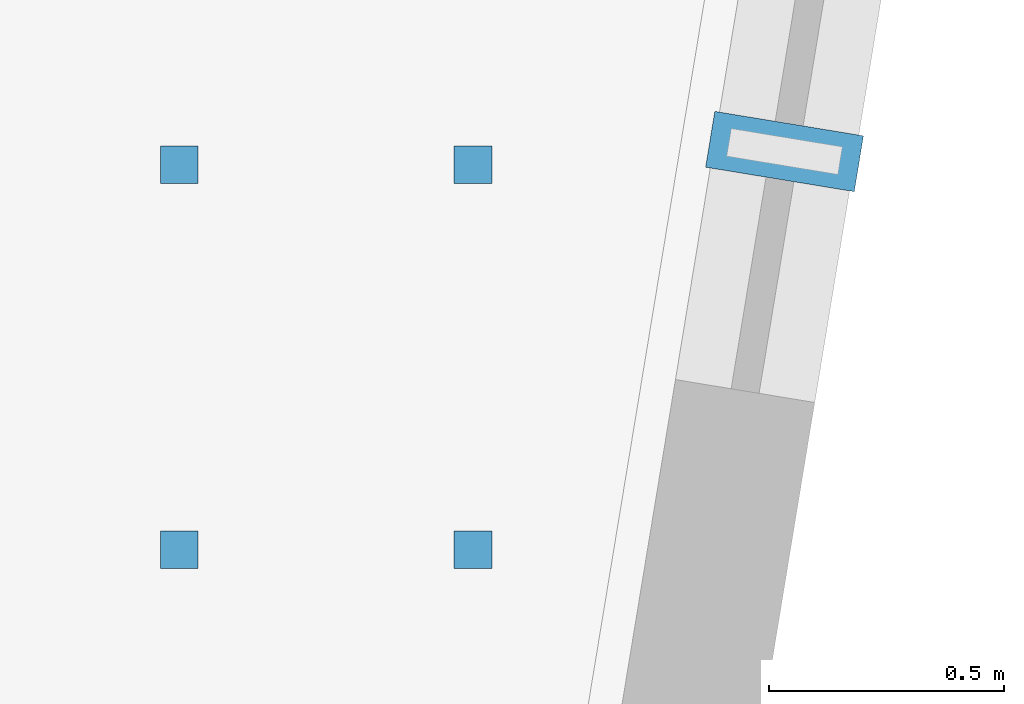
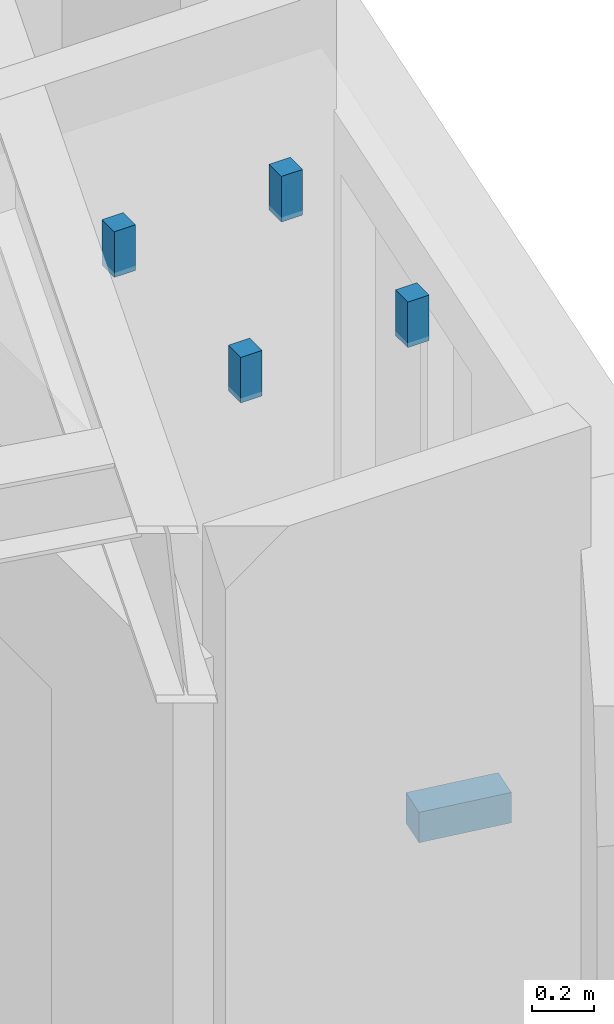
# One storey, part 9 of 14: 5 discrete accessories.
"""IFC4 building model written with IfcOpenShell, lengths in metres."""

import ifcopenshell
import ifcopenshell.guid

model = None  # the IFC model being written
_history = None  # IfcOwnerHistory: only IFC2X3 demands one
_inside = {}  # id of a spatial element -> (the spatial element, [elements in it])
_under = {}  # id of a project, library or spatial element -> (it, [spatial elements below it])
_declared = {}  # id of a project -> (the project, [libraries it declares])
_typed = {}  # id of a type object -> (the type object, [elements of that type])
_made_of = {}  # id of a material, layer set ... -> (it, [elements and type objects made of it])


def new_model(schema):
    """Start an empty IFC model of exactly this schema.

    Asked for "IFC4X3", IfcOpenShell would pick the latest addendum, in which some entities
    have other attributes; the version numbers below select the first issue.
    IFC2X3 requires an IfcOwnerHistory on every rooted entity: one is made here for all.
    """
    global model, _history
    if schema == "IFC4X3":
        model = ifcopenshell.file(schema_version=(4, 3, 0, 0))
    else:
        model = ifcopenshell.file(schema=schema)
    _inside.clear()
    _under.clear()
    _declared.clear()
    _typed.clear()
    _made_of.clear()
    _history = None
    if model.schema == "IFC2X3":
        org = make("IfcOrganization", Name="unknown")
        user = make(
            "IfcPersonAndOrganization",
            ThePerson=make("IfcPerson", FamilyName="unknown"),
            TheOrganization=org,
        )
        app = make(
            "IfcApplication",
            ApplicationDeveloper=org,
            Version="unknown",
            ApplicationFullName="unknown",
            ApplicationIdentifier="unknown",
        )
        _history = make(
            "IfcOwnerHistory",
            OwningUser=user,
            OwningApplication=app,
            ChangeAction="ADDED",
            CreationDate=0,
        )
    return model


def make(cls, **values):
    """One entity of the class cls with the attributes given. An attribute that is None is left unset."""
    return model.create_entity(
        cls, **{name: value for name, value in values.items() if value is not None}
    )


def rooted(cls, **values):
    """An entity with a GlobalId (a new one), such as an element, a storey or a relation."""
    return make(cls, GlobalId=ifcopenshell.guid.new(), OwnerHistory=_history, **values)


def si_unit(unit_type, name, prefix=None):
    """IfcSIUnit, for example si_unit("LENGTHUNIT", "METRE", prefix="MILLI")."""
    return make("IfcSIUnit", UnitType=unit_type, Prefix=prefix, Name=name)


def assignment(units):
    """IfcUnitAssignment: the units of a project."""
    return None if units is None else make("IfcUnitAssignment", Units=units)


def point(xyz):
    """IfcCartesianPoint."""
    return None if xyz is None else make("IfcCartesianPoint", Coordinates=xyz)


def direction(xyz):
    """IfcDirection."""
    return None if xyz is None else make("IfcDirection", DirectionRatios=xyz)


def frame(location, z_axis=None, x_axis=None):
    """IfcAxis2Placement3D, a coordinate frame: its origin and axes. An axis left out is left unset."""
    return make(
        "IfcAxis2Placement3D",
        Location=point(location),
        Axis=direction(z_axis),
        RefDirection=direction(x_axis),
    )


def frame_2d(location, x_axis=None):
    """IfcAxis2Placement2D, a coordinate frame in the plane: its origin and x axis."""
    return make(
        "IfcAxis2Placement2D", Location=point(location), RefDirection=direction(x_axis)
    )


def origin():
    """The frame at (0, 0, 0) with its axes left unset."""
    return frame((0.0, 0.0, 0.0))


def origin_2d():
    """The frame at (0, 0) in the plane with its x axis left unset."""
    return frame_2d((0.0, 0.0))


def place(relative_to, where):
    """IfcLocalPlacement: puts the frame where relative to a parent placement (None: the world)."""
    return make(
        "IfcLocalPlacement", PlacementRelTo=relative_to, RelativePlacement=where
    )


def context(
    kind, dimensions, precision=None, world=None, true_north=None, identifier=None
):
    """IfcGeometricRepresentationContext, for example the 3D "Model" context."""
    return make(
        "IfcGeometricRepresentationContext",
        ContextIdentifier=identifier,
        ContextType=kind,
        CoordinateSpaceDimension=dimensions,
        Precision=precision,
        WorldCoordinateSystem=world,
        TrueNorth=true_north,
    )


def subcontext(parent, identifier, kind, view, scale=None):
    """IfcGeometricRepresentationSubContext, for example "Body" below "Model"."""
    return make(
        "IfcGeometricRepresentationSubContext",
        ContextIdentifier=identifier,
        ContextType=kind,
        ParentContext=parent,
        TargetScale=scale,
        TargetView=view,
    )


def project(units=None, contexts=None):
    """IfcProject with its units and contexts."""
    return rooted(
        "IfcProject",
        Name="project",
        RepresentationContexts=contexts,
        UnitsInContext=assignment(units),
    )


def spatial(cls, under=None, at=None, **own):
    """A site, building, storey or space (cls), placed at a placement, below another one or the project."""
    s = rooted(cls, ObjectPlacement=at, **own)
    if under is not None:
        _under.setdefault(under.id(), (under, []))[1].append(s)
    return s


def profile(cls, at=None, kind="AREA", **sizes):
    """A parametric profile (cls). Its sizes go by their IFC names, for example OverallWidth=200.0."""
    return make(cls, ProfileType=kind, Position=at, **sizes)


def rectangle(**sizes):
    """IfcRectangleProfileDef."""
    return profile("IfcRectangleProfileDef", **sizes)


def extrude(swept, where, along, depth):
    """IfcExtrudedAreaSolid: the profile swept, set in the frame where, extruded along a direction by depth."""
    return make(
        "IfcExtrudedAreaSolid",
        SweptArea=swept,
        Position=where,
        ExtrudedDirection=direction(along),
        Depth=depth,
    )


def shape(context_of_items, identifier, shape_type, items):
    """IfcShapeRepresentation: the items that make up one representation, for example the "Body"."""
    return make(
        "IfcShapeRepresentation",
        ContextOfItems=context_of_items,
        RepresentationIdentifier=identifier,
        RepresentationType=shape_type,
        Items=items,
    )


def material(Name=None, Category=None):
    """IfcMaterial."""
    return make("IfcMaterial", Name=Name, Category=Category)


def made_of(thing, what):
    """Note that an element or type object is made of a material, layer set ...; save() writes the relation."""
    if what is not None:
        _made_of.setdefault(what.id(), (what, []))[1].append(thing)
    return thing


def type_object(cls, material=None, **own):
    """A type object (cls), such as IfcWallType, which elements share."""
    return made_of(rooted(cls, **own), material)


def element(
    cls,
    number,
    at=None,
    inside=None,
    cuts=None,
    type_object=None,
    material=None,
    context=None,
    identifier="Body",
    shape_type=None,
    held_by="IfcProductDefinitionShape",
    body=None,
    shapes=None,
    **own,
):
    """One element of the class cls, such as IfcWall. Its Tag is "e" and its number.

    at: its placement. inside: the storey or other place that contains it. cuts: it is an
    opening in that element (IfcRelVoidsElement). A single representation is given by context,
    identifier, shape_type and body (its items); several are given by shapes. held_by: the class
    of the entity that holds the representations. save() writes the other relations.
    """
    e = rooted(cls, Tag="e%d" % number, ObjectPlacement=at, **own)
    if body is not None:
        shapes = [shape(context, identifier, shape_type, body)]
    if shapes is not None:
        e.Representation = make(held_by, Representations=shapes)
    if inside is not None:
        _inside.setdefault(inside.id(), (inside, []))[1].append(e)
    if cuts is not None:
        rooted(
            "IfcRelVoidsElement", RelatingBuildingElement=cuts, RelatedOpeningElement=e
        )
    if type_object is not None:
        _typed.setdefault(type_object.id(), (type_object, []))[1].append(e)
    return made_of(e, material)


def aggregate(whole, parts):
    """IfcRelAggregates: a whole, such as a stair, and the parts it consists of."""
    return rooted("IfcRelAggregates", RelatingObject=whole, RelatedObjects=parts)


def save(model, path):
    """Write the relations noted so far, then the file.

    IfcRelAggregates (storeys below a building ...), IfcRelContainedInSpatialStructure (elements
    in a storey), IfcRelDefinesByType, IfcRelAssociatesMaterial and IfcRelDeclares: one each for
    every whole, place, type object, material and project.
    """
    for whole, parts in _under.values():
        aggregate(whole, parts)
    for where, things in _inside.values():
        rooted(
            "IfcRelContainedInSpatialStructure",
            RelatedElements=things,
            RelatingStructure=where,
        )
    for kind, things in _typed.values():
        rooted("IfcRelDefinesByType", RelatedObjects=things, RelatingType=kind)
    for what, things in _made_of.values():
        rooted("IfcRelAssociatesMaterial", RelatedObjects=things, RelatingMaterial=what)
    for by, libraries in _declared.values():
        rooted("IfcRelDeclares", RelatingContext=by, RelatedDefinitions=libraries)
    model.write(path)


model = new_model("IFC4")

# Units and contexts
model_context = context("Model", 3, precision=1e-05, world=origin(), true_north=direction((0.0, 1.0)))
body_context = subcontext(model_context, "Body", "Model", "MODEL_VIEW")
ifc_project = project(units=[si_unit("LENGTHUNIT", "METRE"), si_unit("AREAUNIT", "SQUARE_METRE"), si_unit("VOLUMEUNIT", "CUBIC_METRE"), si_unit("PLANEANGLEUNIT", "RADIAN"), si_unit("MASSUNIT", "GRAM", prefix="KILO")], contexts=[model_context])

# Site, building, storey
site_placement = place(None, origin())
site = spatial("IfcSite", under=ifc_project, at=site_placement, CompositionType="ELEMENT")
building_placement = place(site_placement, origin())
building = spatial("IfcBuilding", under=site, at=building_placement, Name="Kolvaren Gate Tower and Convention Centre", CompositionType="ELEMENT")
storey_placement = place(building_placement, frame((0.0, 0.0, 105.300048828125)))
storey = spatial("IfcBuildingStorey", under=building, at=storey_placement, Name="L25", CompositionType="ELEMENT", Elevation=105.300048828125)

# Discrete accessories
ifc_material_1 = material(Name="Anodized Architectural Aluminium Alloy 6063-T6", Category="aluminium")
discrete_accessory_type_1 = type_object("IfcDiscreteAccessoryType", Name="ARCH-ACC-BRACKET-120", PredefinedType="BRACKET", material=ifc_material_1)
discrete_accessory_placement = place(storey_placement, frame((53.730224609375, 23.462158203125, 0.289794921875), z_axis=(0.0, 0.0, 1.0), x_axis=(0.162389178836, 0.986726788223, 0.0)))
element("IfcDiscreteAccessory", 1, at=discrete_accessory_placement, inside=storey, type_object=discrete_accessory_type_1, Name="Ceramic Fin Wall Anchor Bracket FBK-L25-23", PredefinedType="BRACKET", context=body_context, shape_type="SweptSolid", body=[
    extrude(rectangle(XDim=0.1201171875, YDim=0.320068359375, at=origin_2d()), origin(), (0.0, 0.0, 1.0), 0.1201171875),
])
ifc_material_2 = material(Name="Brushed Stainless Steel Grade 316L", Category="steel")
discrete_accessory_type_2 = type_object("IfcDiscreteAccessoryType", Name="ARCH-ACC-HANGER-80", PredefinedType="BRACKET", material=ifc_material_2)
for number, where, z_axis, x_axis, name in (
    (2, (52.444091796875, 22.615966796875, 2.9501953125), (0.0, 0.0, 1.0), (1.0, 0.0, 0.0), "En-suite Bathroom (HTL-L25-03) Ceiling Suspension Hanger Clip 1"),
    (3, (53.068115234375, 22.615966796875, 2.9501953125), (0.0, 0.0, 1.0), (1.0, 0.0, 0.0), "En-suite Bathroom (HTL-L25-03) Ceiling Suspension Hanger Clip 2"),
    (4, (52.444091796875, 23.43408203125, 2.9501953125), (0.0, 0.0, 1.0), (1.0, 0.0, 0.0), "En-suite Bathroom (HTL-L25-03) Ceiling Suspension Hanger Clip 3"),
    (5, (53.068115234375, 23.43408203125, 2.9501953125), (0.0, 0.0, 1.0), (1.0, 0.0, 0.0), "En-suite Bathroom (HTL-L25-03) Ceiling Suspension Hanger Clip 4"),
):
    element("IfcDiscreteAccessory", number, at=place(storey_placement, frame(where, z_axis=z_axis, x_axis=x_axis)), inside=storey, type_object=discrete_accessory_type_2, Name=name, PredefinedType="BRACKET", context=body_context, shape_type="SweptSolid", body=[
        extrude(rectangle(XDim=0.080078125, YDim=0.080078125, at=origin_2d()), origin(), (0.0, 0.0, 1.0), 0.179931640625),
    ])

save(model, "model.ifc")
